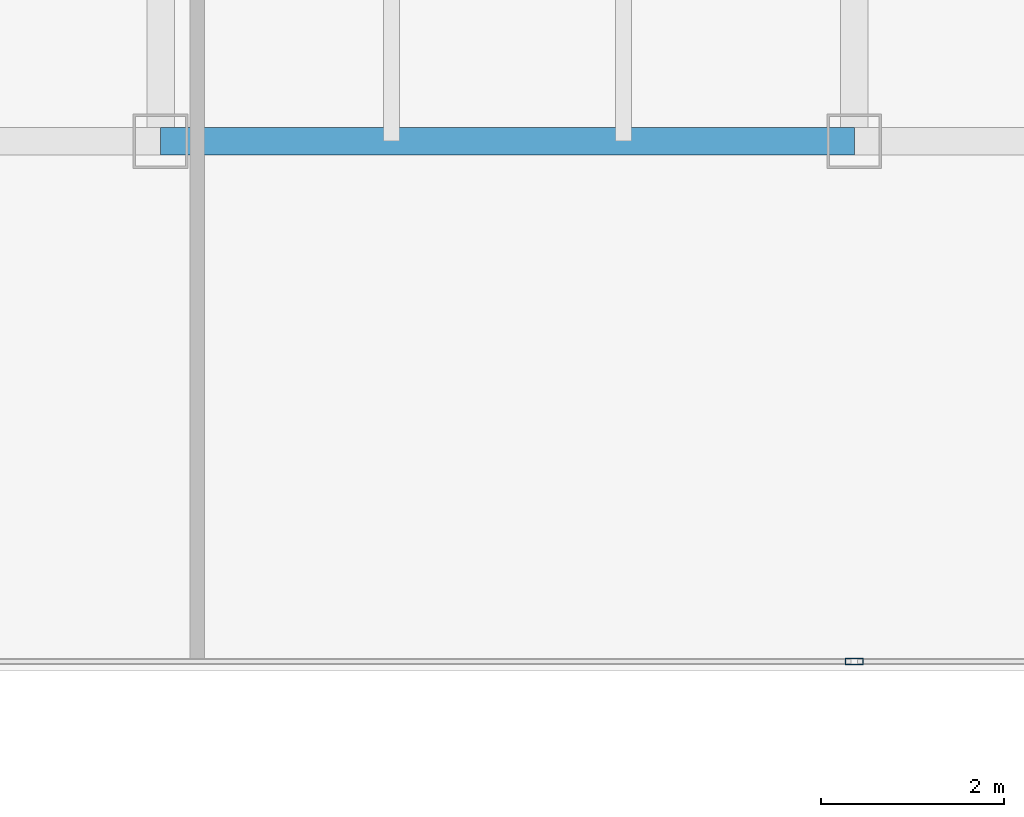
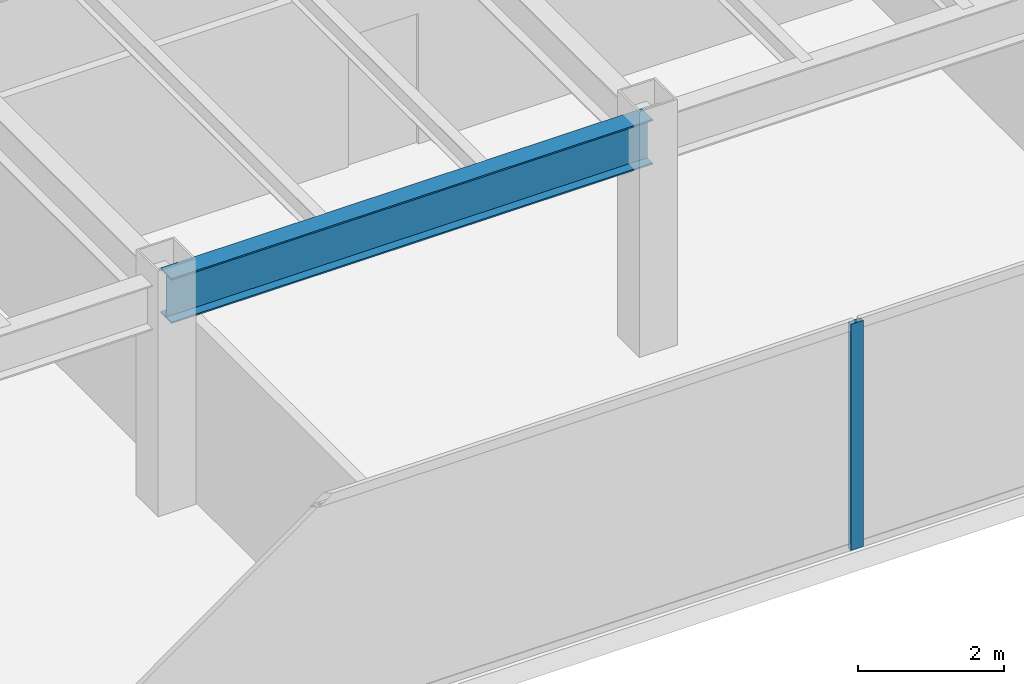
# One storey, part 8 of 35: 1 beam, 1 member, 1 element without a shape of its own.
"""IFC4 building model written with IfcOpenShell, lengths in metres."""

from ifc_helpers import new_model, si_unit, direction, frame, origin, origin_2d, place, context, subcontext, project, spatial, hollow_rectangle, i_section, extrude, source, transform, mapped, material, layer, layer_set, material_profile, profile_set, type_object, type_shapes, element, aggregate, save


model = new_model("IFC4")

# Units and contexts
model_context = context("Model", 3, precision=1e-05, world=origin(), true_north=direction((0.0, 1.0)))
body_context = subcontext(model_context, "Body", "Model", "MODEL_VIEW")
ifc_project = project(units=[si_unit("LENGTHUNIT", "METRE"), si_unit("AREAUNIT", "SQUARE_METRE"), si_unit("VOLUMEUNIT", "CUBIC_METRE"), si_unit("PLANEANGLEUNIT", "RADIAN"), si_unit("MASSUNIT", "GRAM", prefix="KILO")], contexts=[model_context])

# Site, building, storey
site_placement = place(None, origin())
site = spatial("IfcSite", under=ifc_project, at=site_placement, CompositionType="ELEMENT")
building_placement = place(site_placement, origin())
building = spatial("IfcBuilding", under=site, at=building_placement, Name="Haelvirn Gate Laboratories", CompositionType="ELEMENT")
storey_placement = place(building_placement, frame((0.0, 0.0, 58.0)))
storey = spatial("IfcBuildingStorey", under=building, at=storey_placement, Name="L14", CompositionType="ELEMENT", Elevation=58.0)

# Beam
ifc_material_1 = material(Name="Steel SM355", Category="steel")
ifc_material_profile_1 = material_profile(ifc_material_1, i_section(OverallWidth=0.300048828125, OverallDepth=0.75, WebThickness=0.013916015625, FlangeThickness=0.02392578125, at=origin_2d()), Name="H-750x300x14x24")
ifc_profile_set_1 = profile_set([ifc_material_profile_1], Name="Steel SM355")
beam_type = type_object("IfcBeamType", Name="BM-G-750", PredefinedType="BEAM", material=ifc_profile_set_1)
shared_shape_1 = source(origin(), body_context, "Body", "SweptSolid", [
    extrude(i_section(OverallWidth=0.300048828125, OverallDepth=0.75, WebThickness=0.013916015625, FlangeThickness=0.02392578125, at=origin_2d()), origin(), (0.0, 0.0, 1.0), 7.599853515625),
])
type_shapes(beam_type, [shared_shape_1])
beam_placement = place(storey_placement, frame((29.800048828125, 7.0, 3.405029296875), z_axis=(1.0, 0.0, 0.0), x_axis=(0.0, 1.0, 0.0)))
element("IfcBeam", 1, at=beam_placement, inside=storey, type_object=beam_type, Name="L14 Primary Girder Y7.0 (29.8-37.4)", PredefinedType="BEAM", context=body_context, shape_type="MappedRepresentation", body=[
    mapped(shared_shape_1, transform((0.0, 0.0, 0.0), scale=1.0)),
])

# Curtain wall, member
ifc_material_2 = material(Name="Anodised bronze unitised aluminium & triple low-E glass", Category="aluminium")
ifc_layer = layer(ifc_material_2, 0.18408203125, Name="CW-SYS-2")
ifc_layer_set = layer_set([ifc_layer], Name="Anodised bronze unitised aluminium & triple low-E glass")
curtain_wall_type = type_object("IfcCurtainWallType", Name="CW-SYS-2", PredefinedType="NOTDEFINED", material=ifc_layer_set)
curtain_wall_placement = place(storey_placement, origin())
curtain_wall = element("IfcCurtainWall", 2, at=curtain_wall_placement, inside=storey, type_object=curtain_wall_type, Name="L14 Unitised Curtain Wall CW-L14-P0-E02-1", PredefinedType="NOTDEFINED")
ifc_material_3 = material(Name="Extruded aluminium 6063-T6 (anodised bronze)", Category="aluminium")
ifc_material_profile_2 = material_profile(ifc_material_3, hollow_rectangle(XDim=0.074951171875, YDim=0.199951171875, WallThickness=0.0048828125, at=origin_2d()), Name="CWM-200x75x5")
ifc_profile_set_2 = profile_set([ifc_material_profile_2], Name="Extruded aluminium 6063-T6 (anodised bronze)")
member_type = type_object("IfcMemberType", Name="CWM-T200", PredefinedType="MULLION", material=ifc_profile_set_2)
shared_shape_2 = source(origin(), body_context, "Body", "SweptSolid", [
    extrude(hollow_rectangle(XDim=0.074951171875, YDim=0.199951171875, WallThickness=0.0048828125, at=origin_2d()), origin(), (0.0, 0.0, 1.0), 3.780029296875),
])
type_shapes(member_type, [shared_shape_2])
member_placement = place(storey_placement, frame((37.39990234375, 1.300048828125, 0.0), z_axis=(0.0, 0.0, 1.0), x_axis=(0.0, 1.0, 0.0)))
member = element("IfcMember", 3, at=member_placement, type_object=member_type, Name="CW2 mullion 2", PredefinedType="MULLION", context=body_context, shape_type="MappedRepresentation", body=[
    mapped(shared_shape_2, transform((0.0, 0.0, 0.0), scale=1.0)),
])
aggregate(curtain_wall, [member])

save(model, "model.ifc")
